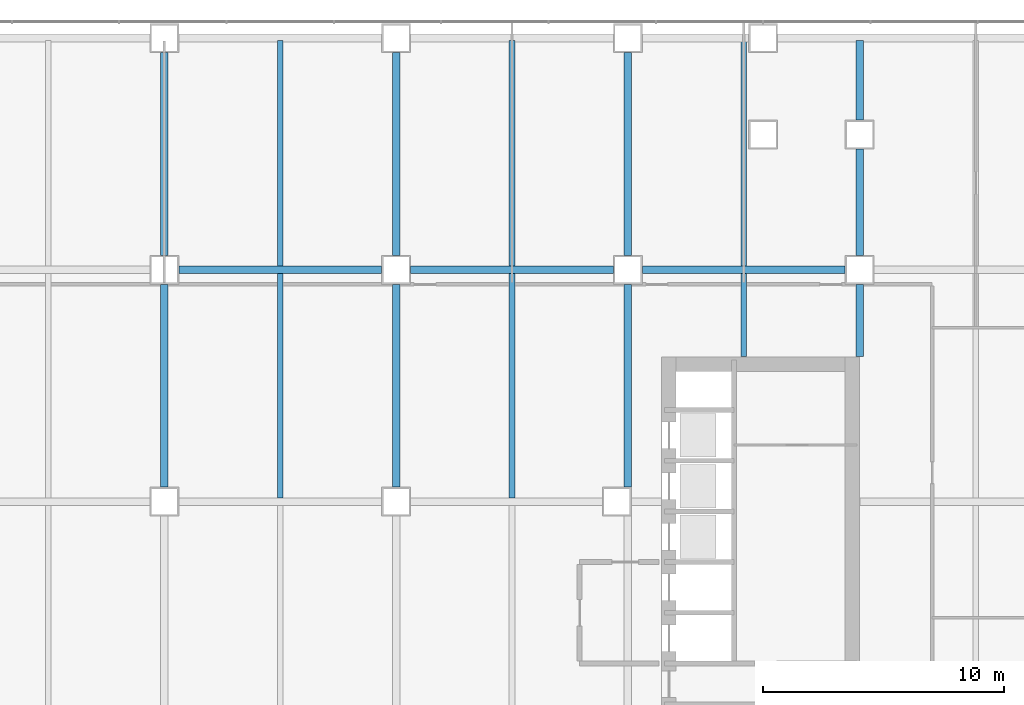
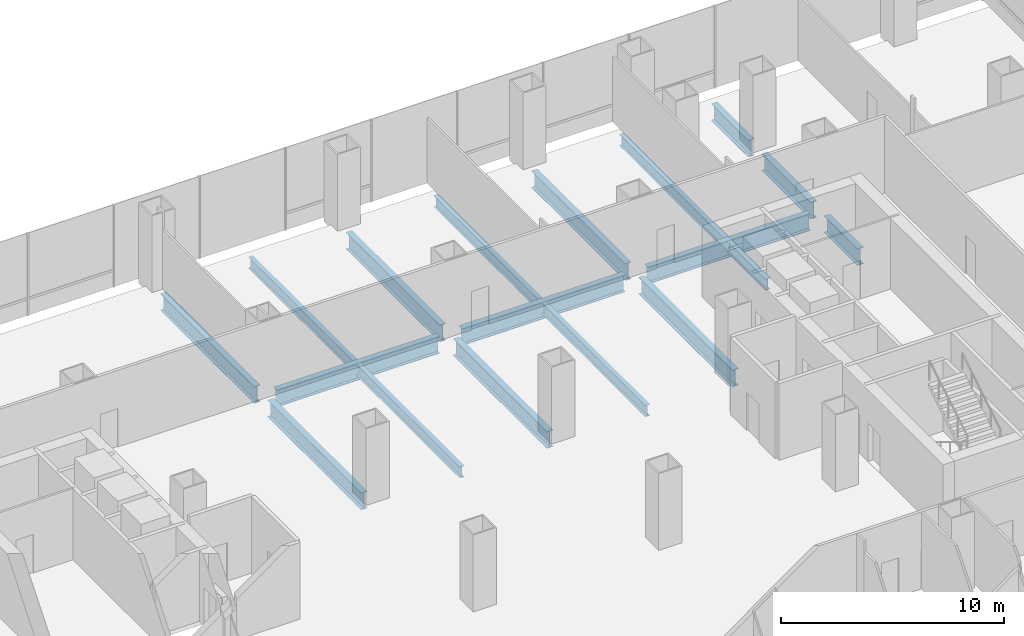
# One storey, part 10 of 23: 18 beams.
"""IFC4 building model written with IfcOpenShell, lengths in metres."""

from ifc_helpers import new_model, si_unit, direction, frame, origin, origin_2d, place, context, subcontext, project, spatial, i_section, extrude, material, material_profile, profile_set, type_object, element, save


model = new_model("IFC4")

# Units and contexts
model_context = context("Model", 3, precision=1e-05, world=origin(), true_north=direction((0.0, 1.0)))
body_context = subcontext(model_context, "Body", "Model", "MODEL_VIEW")
ifc_project = project(units=[si_unit("LENGTHUNIT", "METRE"), si_unit("AREAUNIT", "SQUARE_METRE"), si_unit("VOLUMEUNIT", "CUBIC_METRE"), si_unit("PLANEANGLEUNIT", "RADIAN"), si_unit("MASSUNIT", "GRAM", prefix="KILO")], contexts=[model_context])

# Site, building, storey
site_placement = place(None, origin())
site = spatial("IfcSite", under=ifc_project, at=site_placement, CompositionType="ELEMENT")
building_placement = place(site_placement, origin())
building = spatial("IfcBuilding", under=site, at=building_placement, Name="Cobrizo Arcos Hotel Tower", CompositionType="ELEMENT")
storey_placement = place(building_placement, frame((0.0, 0.0, 29.0)))
storey = spatial("IfcBuildingStorey", under=building, at=storey_placement, Name="L05", CompositionType="ELEMENT", Elevation=29.0)

# Beams
ifc_material = material(Name="Steel ASTM A992 Grade 50", Category="steel")
ifc_material_profile_1 = material_profile(ifc_material, i_section(OverallWidth=0.23046875, OverallDepth=0.6171875, WebThickness=0.01318359375, FlangeThickness=0.022216796875, at=origin_2d()), Name="W24X94")
ifc_profile_set_1 = profile_set([ifc_material_profile_1], Name="Steel ASTM A992 Grade 50")
beam_type_1 = type_object("IfcBeamType", Name="W24X94 podium joist", PredefinedType="JOIST", material=ifc_profile_set_1)
beam_1_placement = place(storey_placement, frame((0.0, 4.95361328125, -0.508544921875), z_axis=(0.0, 1.0, 0.0), x_axis=(-1.0, 0.0, 0.0)))
element("IfcBeam", 1, at=beam_1_placement, inside=storey, type_object=beam_type_1, Name="Podium joist PJ1, L05, no. 018", PredefinedType="JOIST", context=body_context, shape_type="SweptSolid", body=[
    extrude(i_section(OverallWidth=0.23046875, OverallDepth=0.6171875, WebThickness=0.01318359375, FlangeThickness=0.022216796875, at=origin_2d()), origin(), (0.0, 0.0, 1.0), 9.292724609375),
])
beam_2_placement = place(storey_placement, frame((0.0, 14.5537109375, -0.508544921875), z_axis=(0.0, 1.0, 0.0), x_axis=(-1.0, 0.0, 0.0)))
element("IfcBeam", 2, at=beam_2_placement, inside=storey, type_object=beam_type_1, Name="Podium joist PJ1, L05, no. 019", PredefinedType="JOIST", context=body_context, shape_type="SweptSolid", body=[
    extrude(i_section(OverallWidth=0.23046875, OverallDepth=0.6171875, WebThickness=0.01318359375, FlangeThickness=0.022216796875, at=origin_2d()), origin(), (0.0, 0.0, 1.0), 9.356201171875),
])
beam_3_placement = place(storey_placement, frame((9.60009765625, 4.95361328125, -0.508544921875), z_axis=(0.0, 1.0, 0.0), x_axis=(-1.0, 0.0, 0.0)))
element("IfcBeam", 3, at=beam_3_placement, inside=storey, type_object=beam_type_1, Name="Podium joist PJ1, L05, no. 023", PredefinedType="JOIST", context=body_context, shape_type="SweptSolid", body=[
    extrude(i_section(OverallWidth=0.23046875, OverallDepth=0.6171875, WebThickness=0.01318359375, FlangeThickness=0.022216796875, at=origin_2d()), origin(), (0.0, 0.0, 1.0), 9.292724609375),
])
beam_4_placement = place(storey_placement, frame((9.60009765625, 14.5537109375, -0.508544921875), z_axis=(0.0, 1.0, 0.0), x_axis=(-1.0, 0.0, 0.0)))
element("IfcBeam", 4, at=beam_4_placement, inside=storey, type_object=beam_type_1, Name="Podium joist PJ1, L05, no. 024", PredefinedType="JOIST", context=body_context, shape_type="SweptSolid", body=[
    extrude(i_section(OverallWidth=0.23046875, OverallDepth=0.6171875, WebThickness=0.01318359375, FlangeThickness=0.022216796875, at=origin_2d()), origin(), (0.0, 0.0, 1.0), 9.356201171875),
])
beam_5_placement = place(storey_placement, frame((19.199951171875, 10.81005859375, -0.508544921875), z_axis=(0.0, 1.0, 0.0), x_axis=(-1.0, 0.0, 0.0)))
element("IfcBeam", 5, at=beam_5_placement, inside=storey, type_object=beam_type_1, Name="Podium joist PJ1, L05, no. 027", PredefinedType="JOIST", context=body_context, shape_type="SweptSolid", body=[
    extrude(i_section(OverallWidth=0.23046875, OverallDepth=0.6171875, WebThickness=0.01318359375, FlangeThickness=0.022216796875, at=origin_2d()), origin(), (0.0, 0.0, 1.0), 3.436279296875),
])
beam_6_placement = place(storey_placement, frame((19.199951171875, 14.5537109375, -0.508544921875), z_axis=(0.0, 1.0, 0.0), x_axis=(-1.0, 0.0, 0.0)))
element("IfcBeam", 6, at=beam_6_placement, inside=storey, type_object=beam_type_1, Name="Podium joist PJ1, L05, no. 028", PredefinedType="JOIST", context=body_context, shape_type="SweptSolid", body=[
    extrude(i_section(OverallWidth=0.23046875, OverallDepth=0.6171875, WebThickness=0.01318359375, FlangeThickness=0.022216796875, at=origin_2d()), origin(), (0.0, 0.0, 1.0), 9.356201171875),
])
ifc_material_profile_2 = material_profile(ifc_material, i_section(OverallWidth=0.307373046875, OverallDepth=0.927001953125, WebThickness=0.01953125, FlangeThickness=0.031982421875, at=origin_2d()), Name="W36X194")
ifc_profile_set_2 = profile_set([ifc_material_profile_2], Name="Steel ASTM A992 Grade 50")
beam_type_2 = type_object("IfcBeamType", Name="W36X194 podium girder", PredefinedType="BEAM", material=ifc_profile_set_2)
beam_7_placement = place(storey_placement, frame((-4.199951171875, 14.39990234375, -0.66357421875), z_axis=(1.0, 0.0, 0.0), x_axis=(0.0, 1.0, 0.0)))
element("IfcBeam", 7, at=beam_7_placement, inside=storey, type_object=beam_type_2, Name="Podium girder PG1, L05, no. 030", PredefinedType="BEAM", context=body_context, shape_type="SweptSolid", body=[
    extrude(i_section(OverallWidth=0.307373046875, OverallDepth=0.927001953125, WebThickness=0.01953125, FlangeThickness=0.031982421875, at=origin_2d()), origin(), (0.0, 0.0, 1.0), 8.39990234375),
])
beam_8_placement = place(storey_placement, frame((5.39990234375, 14.39990234375, -0.66357421875), z_axis=(1.0, 0.0, 0.0), x_axis=(0.0, 1.0, 0.0)))
element("IfcBeam", 8, at=beam_8_placement, inside=storey, type_object=beam_type_2, Name="Podium girder PG1, L05, no. 031", PredefinedType="BEAM", context=body_context, shape_type="SweptSolid", body=[
    extrude(i_section(OverallWidth=0.307373046875, OverallDepth=0.927001953125, WebThickness=0.01953125, FlangeThickness=0.031982421875, at=origin_2d()), origin(), (0.0, 0.0, 1.0), 8.400146484375),
])
beam_9_placement = place(storey_placement, frame((15.0, 14.39990234375, -0.66357421875), z_axis=(1.0, 0.0, 0.0), x_axis=(0.0, 1.0, 0.0)))
element("IfcBeam", 9, at=beam_9_placement, inside=storey, type_object=beam_type_2, Name="Podium girder PG1, L05, no. 032", PredefinedType="BEAM", context=body_context, shape_type="SweptSolid", body=[
    extrude(i_section(OverallWidth=0.307373046875, OverallDepth=0.927001953125, WebThickness=0.01953125, FlangeThickness=0.031982421875, at=origin_2d()), origin(), (0.0, 0.0, 1.0), 8.39990234375),
])
beam_10_placement = place(storey_placement, frame((-4.800048828125, 5.39990234375, -0.66357421875), z_axis=(0.0, 1.0, 0.0), x_axis=(-1.0, 0.0, 0.0)))
element("IfcBeam", 10, at=beam_10_placement, inside=storey, type_object=beam_type_2, Name="Podium girder PG1, L05, no. 054", PredefinedType="BEAM", context=body_context, shape_type="SweptSolid", body=[
    extrude(i_section(OverallWidth=0.307373046875, OverallDepth=0.927001953125, WebThickness=0.01953125, FlangeThickness=0.031982421875, at=origin_2d()), origin(), (0.0, 0.0, 1.0), 8.400146484375),
])
beam_11_placement = place(storey_placement, frame((-4.800048828125, 15.0, -0.66357421875), z_axis=(0.0, 1.0, 0.0), x_axis=(-1.0, 0.0, 0.0)))
element("IfcBeam", 11, at=beam_11_placement, inside=storey, type_object=beam_type_2, Name="Podium girder PG1, L05, no. 055", PredefinedType="BEAM", context=body_context, shape_type="SweptSolid", body=[
    extrude(i_section(OverallWidth=0.307373046875, OverallDepth=0.927001953125, WebThickness=0.01953125, FlangeThickness=0.031982421875, at=origin_2d()), origin(), (0.0, 0.0, 1.0), 8.39990234375),
])
beam_12_placement = place(storey_placement, frame((4.800048828125, 5.39990234375, -0.66357421875), z_axis=(0.0, 1.0, 0.0), x_axis=(-1.0, 0.0, 0.0)))
element("IfcBeam", 12, at=beam_12_placement, inside=storey, type_object=beam_type_2, Name="Podium girder PG1, L05, no. 059", PredefinedType="BEAM", context=body_context, shape_type="SweptSolid", body=[
    extrude(i_section(OverallWidth=0.307373046875, OverallDepth=0.927001953125, WebThickness=0.01953125, FlangeThickness=0.031982421875, at=origin_2d()), origin(), (0.0, 0.0, 1.0), 8.400146484375),
])
beam_13_placement = place(storey_placement, frame((4.800048828125, 15.0, -0.66357421875), z_axis=(0.0, 1.0, 0.0), x_axis=(-1.0, 0.0, 0.0)))
element("IfcBeam", 13, at=beam_13_placement, inside=storey, type_object=beam_type_2, Name="Podium girder PG1, L05, no. 060", PredefinedType="BEAM", context=body_context, shape_type="SweptSolid", body=[
    extrude(i_section(OverallWidth=0.307373046875, OverallDepth=0.927001953125, WebThickness=0.01953125, FlangeThickness=0.031982421875, at=origin_2d()), origin(), (0.0, 0.0, 1.0), 8.39990234375),
])
beam_14_placement = place(storey_placement, frame((14.39990234375, 5.39990234375, -0.66357421875), z_axis=(0.0, 1.0, 0.0), x_axis=(-1.0, 0.0, 0.0)))
element("IfcBeam", 14, at=beam_14_placement, inside=storey, type_object=beam_type_2, Name="Podium girder PG1, L05, no. 064", PredefinedType="BEAM", context=body_context, shape_type="SweptSolid", body=[
    extrude(i_section(OverallWidth=0.307373046875, OverallDepth=0.927001953125, WebThickness=0.01953125, FlangeThickness=0.031982421875, at=origin_2d()), origin(), (0.0, 0.0, 1.0), 8.400146484375),
])
beam_15_placement = place(storey_placement, frame((14.39990234375, 15.0, -0.66357421875), z_axis=(0.0, 1.0, 0.0), x_axis=(-1.0, 0.0, 0.0)))
element("IfcBeam", 15, at=beam_15_placement, inside=storey, type_object=beam_type_2, Name="Podium girder PG1, L05, no. 065", PredefinedType="BEAM", context=body_context, shape_type="SweptSolid", body=[
    extrude(i_section(OverallWidth=0.307373046875, OverallDepth=0.927001953125, WebThickness=0.01953125, FlangeThickness=0.031982421875, at=origin_2d()), origin(), (0.0, 0.0, 1.0), 8.39990234375),
])
beam_16_placement = place(storey_placement, frame((24.0, 10.81005859375, -0.66357421875), z_axis=(0.0, 1.0, 0.0), x_axis=(-1.0, 0.0, 0.0)))
element("IfcBeam", 16, at=beam_16_placement, inside=storey, type_object=beam_type_2, Name="Podium girder PG1, L05, no. 069", PredefinedType="BEAM", context=body_context, shape_type="SweptSolid", body=[
    extrude(i_section(OverallWidth=0.307373046875, OverallDepth=0.927001953125, WebThickness=0.01953125, FlangeThickness=0.031982421875, at=origin_2d()), origin(), (0.0, 0.0, 1.0), 2.989990234375),
])
beam_17_placement = place(storey_placement, frame((24.0, 15.0, -0.66357421875), z_axis=(0.0, 1.0, 0.0), x_axis=(-1.0, 0.0, 0.0)))
element("IfcBeam", 17, at=beam_17_placement, inside=storey, type_object=beam_type_2, Name="Podium girder PG1, L05, no. 070", PredefinedType="BEAM", context=body_context, shape_type="SweptSolid", body=[
    extrude(i_section(OverallWidth=0.307373046875, OverallDepth=0.927001953125, WebThickness=0.01953125, FlangeThickness=0.031982421875, at=origin_2d()), origin(), (0.0, 0.0, 1.0), 4.39990234375),
])
beam_18_placement = place(storey_placement, frame((24.0, 20.60009765625, -0.66357421875), z_axis=(0.0, 1.0, 0.0), x_axis=(-1.0, 0.0, 0.0)))
element("IfcBeam", 18, at=beam_18_placement, inside=storey, type_object=beam_type_2, Name="Podium girder PG1, L05, no. 071", PredefinedType="BEAM", context=body_context, shape_type="SweptSolid", body=[
    extrude(i_section(OverallWidth=0.307373046875, OverallDepth=0.927001953125, WebThickness=0.01953125, FlangeThickness=0.031982421875, at=origin_2d()), origin(), (0.0, 0.0, 1.0), 3.309814453125),
])

save(model, "model.ifc")
